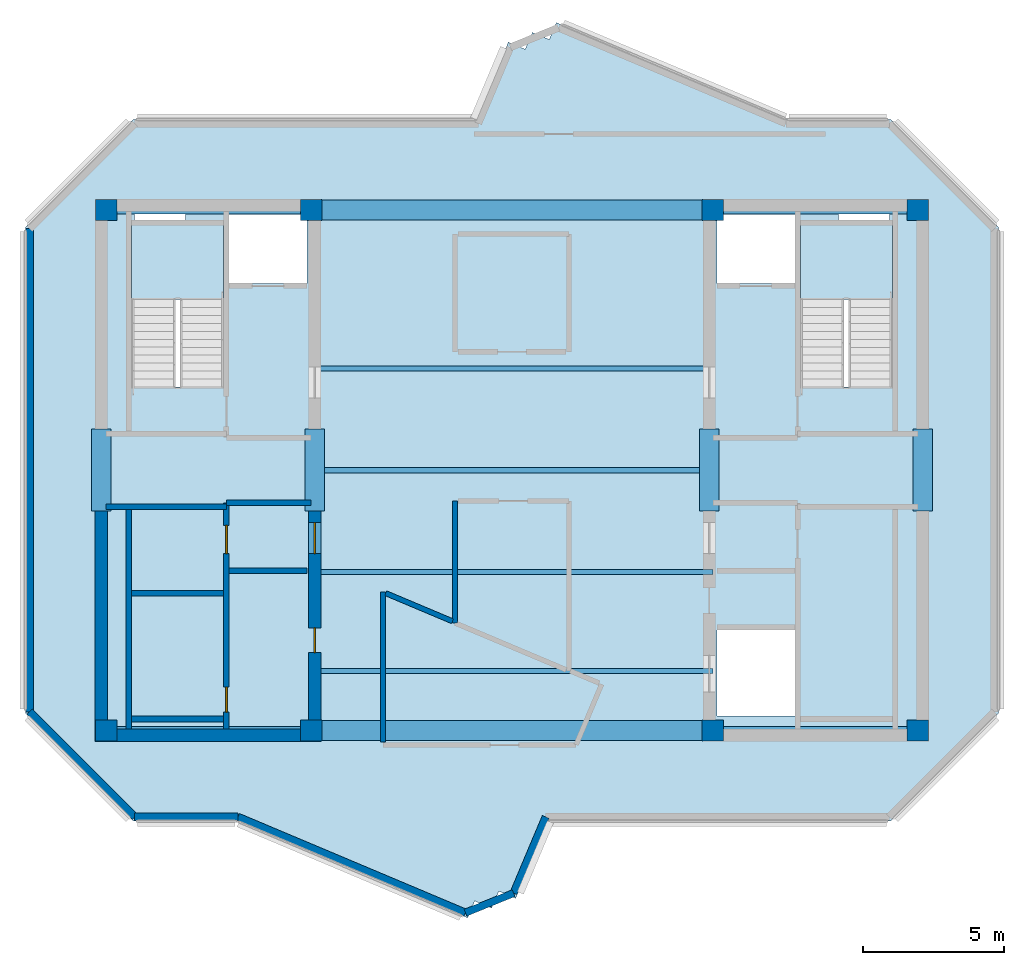
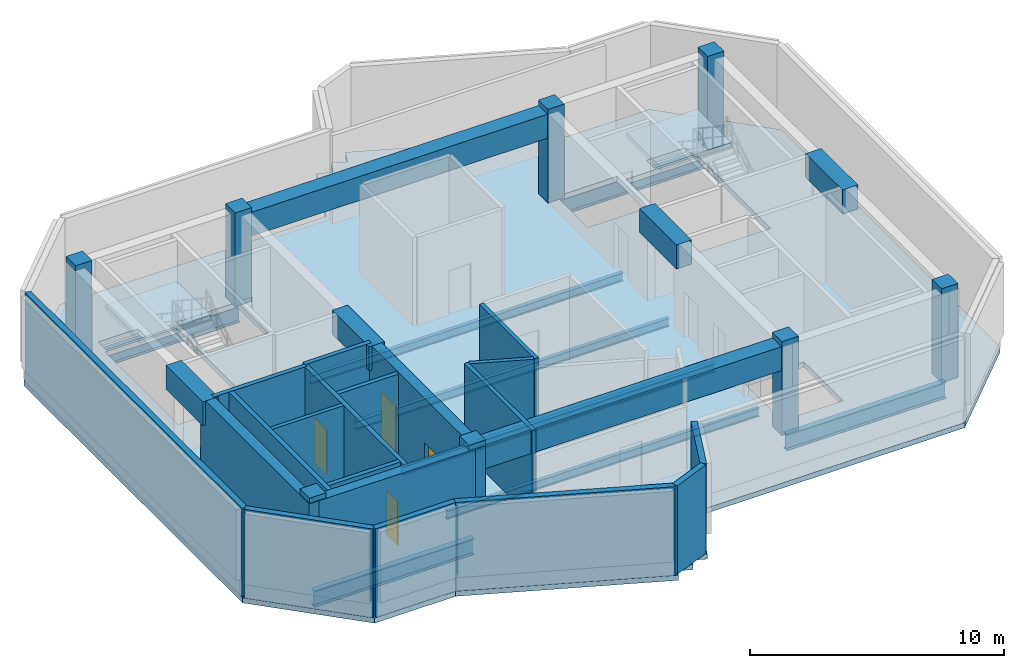
# One storey, part 1 of 5: 19 walls, 14 beams, 8 columns, 4 doors, 3 slabs, 4 openings, 2 elements without a shape of their own.
"""IFC4 building model written with IfcOpenShell, lengths in metres."""

from ifc_helpers import new_model, si_unit, direction, frame, frame_2d, origin, origin_2d, place, context, subcontext, project, spatial, polyline, rectangle, i_section, outline, extrude, source, transform, mapped, material, layer, layer_set, material_profile, profile_set, type_object, element, fill, aggregate, save


model = new_model("IFC4")

# Units and contexts
model_context = context("Model", 3, precision=1e-05, world=origin(), true_north=direction((0.0, 1.0)))
body_context = subcontext(model_context, "Body", "Model", "MODEL_VIEW")
ifc_project = project(units=[si_unit("LENGTHUNIT", "METRE"), si_unit("AREAUNIT", "SQUARE_METRE"), si_unit("VOLUMEUNIT", "CUBIC_METRE"), si_unit("PLANEANGLEUNIT", "RADIAN"), si_unit("MASSUNIT", "GRAM", prefix="KILO")], contexts=[model_context])

# Site, building, storey
site_placement = place(None, origin())
site = spatial("IfcSite", under=ifc_project, at=site_placement, CompositionType="ELEMENT")
building_placement = place(site_placement, origin())
building = spatial("IfcBuilding", under=site, at=building_placement, Name="Zahravan Cultural Tower", CompositionType="ELEMENT")
storey_placement = place(building_placement, frame((0.0, 0.0, 375.14990234375)))
storey = spatial("IfcBuildingStorey", under=building, at=storey_placement, Name="L91", CompositionType="ELEMENT", Elevation=375.14990234375)

# Columns
ifc_material_1 = material(Name="Concrete C45/55", Category="concrete")
ifc_material_profile_1 = material_profile(ifc_material_1, rectangle(XDim=0.75, YDim=0.75, at=origin_2d()), Name="RC750X750")
ifc_profile_set_1 = profile_set([ifc_material_profile_1], Name="Concrete C45/55")
column_type = type_object("IfcColumnType", Name="COL-RC750", PredefinedType="COLUMN", material=ifc_profile_set_1)
shared_shape_1 = source(origin(), body_context, "Body", "SweptSolid", [
    extrude(rectangle(XDim=0.75, YDim=0.75, at=origin_2d()), origin(), (0.0, 0.0, 1.0), 4.5),
])
for number, where, z_axis, x_axis, name in (
    (1, (21.64990234375, 17.800048828125, 0.0), (0.0, 0.0, 1.0), (1.0, 0.0, 0.0), "L91 Column CC-W1"),
    (2, (28.89990234375, 17.800048828125, 0.0), (0.0, 0.0, 1.0), (1.0, 0.0, 0.0), "L91 Column CC-W2"),
    (3, (21.64990234375, 36.199951171875, 0.0), (0.0, 0.0, 1.0), (1.0, 0.0, 0.0), "L91 Column CC-W3"),
    (4, (28.89990234375, 36.199951171875, 0.0), (0.0, 0.0, 1.0), (1.0, 0.0, 0.0), "L91 Column CC-W4"),
    (5, (43.10009765625, 17.800048828125, 0.0), (0.0, 0.0, 1.0), (1.0, 0.0, 0.0), "L91 Column CC-E1"),
    (6, (50.35009765625, 17.800048828125, 0.0), (0.0, 0.0, 1.0), (1.0, 0.0, 0.0), "L91 Column CC-E2"),
    (7, (43.10009765625, 36.199951171875, 0.0), (0.0, 0.0, 1.0), (1.0, 0.0, 0.0), "L91 Column CC-E3"),
    (8, (50.35009765625, 36.199951171875, 0.0), (0.0, 0.0, 1.0), (1.0, 0.0, 0.0), "L91 Column CC-E4"),
):
    element("IfcColumn", number, at=place(storey_placement, frame(where, z_axis=z_axis, x_axis=x_axis)), inside=storey, type_object=column_type, Name=name, PredefinedType="COLUMN", context=body_context, shape_type="MappedRepresentation", body=[
        mapped(shared_shape_1, transform((0.0, 0.0, 0.0), x_axis=(1.0, 0.0, 0.0), y_axis=(0.0, 1.0, 0.0), z_axis=(0.0, 0.0, 1.0), scale=1.0)),
    ])

# Beams
ifc_material_2 = material(Name="Concrete C50/60", Category="concrete")
ifc_material_profile_2 = material_profile(ifc_material_2, rectangle(XDim=0.699951171875, YDim=1.14990234375, at=origin_2d()), Name="RC700X1150")
ifc_profile_set_2 = profile_set([ifc_material_profile_2], Name="Concrete C50/60")
beam_type_1 = type_object("IfcBeamType", Name="BM-LN-RC700X1150", PredefinedType="LINTEL", material=ifc_profile_set_2)
shared_shape_2 = source(origin(), body_context, "Body", "SweptSolid", [
    extrude(rectangle(XDim=0.699951171875, YDim=1.14990234375, at=origin_2d()), origin(), (0.0, 0.0, 1.0), 14.2001953125),
])
for number, where, z_axis, x_axis, name in (
    (9, (28.89990234375, 17.800048828125, 3.675048828125), (1.0, 0.0, 0.0), (0.0, 1.0, 0.0), "L91 Beam LN-L91-S"),
    (10, (28.89990234375, 36.199951171875, 3.675048828125), (1.0, 0.0, 0.0), (0.0, 1.0, 0.0), "L91 Beam LN-L91-N"),
):
    element("IfcBeam", number, at=place(storey_placement, frame(where, z_axis=z_axis, x_axis=x_axis)), inside=storey, type_object=beam_type_1, Name=name, PredefinedType="LINTEL", context=body_context, shape_type="MappedRepresentation", body=[
        mapped(shared_shape_2, transform((0.0, 0.0, 0.0), x_axis=(1.0, 0.0, 0.0), y_axis=(0.0, 1.0, 0.0), z_axis=(0.0, 0.0, 1.0), scale=1.0)),
    ])
shared_shape_3 = source(origin(), body_context, "Body", "SweptSolid", [
    extrude(rectangle(XDim=0.699951171875, YDim=1.14990234375, at=origin_2d()), origin(), (0.0, 0.0, 1.0), 2.89990234375),
])
for number, where, z_axis, x_axis, name in (
    (11, (21.47509765625, 25.550048828125, 3.675048828125), (0.0, 1.0, 0.0), (-1.0, 0.0, 0.0), "L91 Beam LN-L91-PWW"),
    (12, (29.02490234375, 25.550048828125, 3.675048828125), (0.0, 1.0, 0.0), (-1.0, 0.0, 0.0), "L91 Beam LN-L91-PWE"),
    (13, (42.97509765625, 25.550048828125, 3.675048828125), (0.0, 1.0, 0.0), (-1.0, 0.0, 0.0), "L91 Beam LN-L91-PEW"),
    (14, (50.52490234375, 25.550048828125, 3.675048828125), (0.0, 1.0, 0.0), (-1.0, 0.0, 0.0), "L91 Beam LN-L91-PEE"),
):
    element("IfcBeam", number, at=place(storey_placement, frame(where, z_axis=z_axis, x_axis=x_axis)), inside=storey, type_object=beam_type_1, Name=name, PredefinedType="LINTEL", context=body_context, shape_type="MappedRepresentation", body=[
        mapped(shared_shape_3, transform((0.0, 0.0, 0.0), x_axis=(1.0, 0.0, 0.0), y_axis=(0.0, 1.0, 0.0), z_axis=(0.0, 0.0, 1.0), scale=1.0)),
    ])
ifc_material_3 = material(Name="Steel ASTM A992 Grade 50", Category="steel")
ifc_material_profile_3 = material_profile(ifc_material_3, i_section(OverallWidth=0.26611328125, OverallDepth=0.780029296875, WebThickness=0.0166015625, FlangeThickness=0.030029296875, FilletRadius=0.01904296875, at=origin_2d()), Name="W30X148")
ifc_profile_set_3 = profile_set([ifc_material_profile_3], Name="Steel ASTM A992 Grade 50")
beam_type_2 = type_object("IfcBeamType", Name="BM-G-W30X148", PredefinedType="BEAM", material=ifc_profile_set_3)
shared_shape_4 = source(origin(), body_context, "Body", "SweptSolid", [
    extrude(i_section(OverallWidth=0.26611328125, OverallDepth=0.780029296875, WebThickness=0.0166015625, FlangeThickness=0.030029296875, FilletRadius=0.01904296875, at=origin_2d()), origin(), (0.0, 0.0, 1.0), 7.25),
])
for number, where, z_axis, x_axis, name in (
    (15, (21.64990234375, 17.800048828125, -0.639892578125), (1.0, 0.0, 0.0), (0.0, 1.0, 0.0), "L91 Beam BG-L91-01"),
    (16, (21.64990234375, 36.199951171875, -0.639892578125), (1.0, 0.0, 0.0), (0.0, 1.0, 0.0), "L91 Beam BG-L91-02"),
    (17, (43.10009765625, 17.800048828125, -0.639892578125), (1.0, 0.0, 0.0), (0.0, 1.0, 0.0), "L91 Beam BG-L91-04"),
    (18, (43.10009765625, 36.199951171875, -0.639892578125), (1.0, 0.0, 0.0), (0.0, 1.0, 0.0), "L91 Beam BG-L91-05"),
):
    element("IfcBeam", number, at=place(storey_placement, frame(where, z_axis=z_axis, x_axis=x_axis)), inside=storey, type_object=beam_type_2, Name=name, PredefinedType="BEAM", context=body_context, shape_type="MappedRepresentation", body=[
        mapped(shared_shape_4, transform((0.0, 0.0, 0.0), x_axis=(1.0, 0.0, 0.0), y_axis=(0.0, 1.0, 0.0), z_axis=(0.0, 0.0, 1.0), scale=1.0)),
    ])
ifc_material_profile_4 = material_profile(ifc_material_3, i_section(OverallWidth=0.177978515625, OverallDepth=0.406005859375, WebThickness=0.0078125, FlangeThickness=0.0126953125, FilletRadius=0.011962890625, at=origin_2d()), Name="W16X40")
ifc_profile_set_4 = profile_set([ifc_material_profile_4], Name="Steel ASTM A992 Grade 50")
beam_type_3 = type_object("IfcBeamType", Name="BM-J-W16X40", PredefinedType="JOIST", material=ifc_profile_set_4)
shared_shape_5 = source(origin(), body_context, "Body", "SweptSolid", [
    extrude(i_section(OverallWidth=0.177978515625, OverallDepth=0.406005859375, WebThickness=0.0078125, FlangeThickness=0.0126953125, FilletRadius=0.011962890625, at=origin_2d()), origin(), (0.0, 0.0, 1.0), 14.2001953125),
])
for number, where, z_axis, x_axis, name in (
    (19, (28.89990234375, 19.89990234375, -0.452880859375), (1.0, 0.0, 0.0), (0.0, 1.0, 0.0), "L91 Beam BJ-L91-07"),
    (20, (28.89990234375, 23.39990234375, -0.452880859375), (1.0, 0.0, 0.0), (0.0, 1.0, 0.0), "L91 Beam BJ-L91-08"),
    (21, (28.89990234375, 27.0, -0.452880859375), (1.0, 0.0, 0.0), (0.0, 1.0, 0.0), "L91 Beam BJ-L91-09"),
    (22, (28.89990234375, 30.60009765625, -0.452880859375), (1.0, 0.0, 0.0), (0.0, 1.0, 0.0), "L91 Beam BJ-L91-10"),
):
    element("IfcBeam", number, at=place(storey_placement, frame(where, z_axis=z_axis, x_axis=x_axis)), inside=storey, type_object=beam_type_3, Name=name, PredefinedType="JOIST", context=body_context, shape_type="MappedRepresentation", body=[
        mapped(shared_shape_5, transform((0.0, 0.0, 0.0), x_axis=(1.0, 0.0, 0.0), y_axis=(0.0, 1.0, 0.0), z_axis=(0.0, 0.0, 1.0), scale=1.0)),
    ])

# Stair, slab
stair_type = type_object("IfcStairType", Name="STR-DL-1550-450", PredefinedType="HALF_TURN_STAIR", material=ifc_material_1)
stair_1_placement = place(storey_placement, origin())
stair_1 = element("IfcStair", 23, at=stair_1_placement, inside=storey, type_object=stair_type, Name="L91 West Core North Exit Stair ST-W1", PredefinedType="HALF_TURN_STAIR")
ifc_layer_1 = layer(ifc_material_1, 0.199951171875)
ifc_layer_set_1 = layer_set([ifc_layer_1], Name="Concrete C45/55")
slab_type_1 = type_object("IfcSlabType", Name="SL-STAIR-LND200", PredefinedType="LANDING", material=ifc_layer_set_1)
slab_1_placement = place(storey_placement, frame((0.0, 0.0, 2.050048828125)))
slab_1 = element("IfcSlab", 24, at=slab_1_placement, type_object=slab_type_1, Name="ST-W1 landing 1", PredefinedType="LANDING", context=body_context, shape_type="SweptSolid", body=[
    extrude(outline(polyline([(25.800048828125, 33.030029296875), (25.800048828125, 35.699951171875), (22.550048828125, 35.699951171875), (22.550048828125, 33.030029296875), (25.800048828125, 33.030029296875)])), origin(), (0.0, 0.0, 1.0), 0.199951171875),
])
aggregate(stair_1, [slab_1])

stair_2_placement = place(storey_placement, origin())
stair_2 = element("IfcStair", 25, at=stair_2_placement, inside=storey, type_object=stair_type, Name="L91 East Core North Exit Stair ST-E1", PredefinedType="HALF_TURN_STAIR")
slab_2_placement = place(storey_placement, frame((0.0, 0.0, 2.050048828125)))
slab_2 = element("IfcSlab", 26, at=slab_2_placement, type_object=slab_type_1, Name="ST-E1 landing 1", PredefinedType="LANDING", context=body_context, shape_type="SweptSolid", body=[
    extrude(outline(polyline([(49.449951171875, 33.030029296875), (49.449951171875, 35.699951171875), (46.199951171875, 35.699951171875), (46.199951171875, 33.030029296875), (49.449951171875, 33.030029296875)])), origin(), (0.0, 0.0, 1.0), 0.199951171875),
])
aggregate(stair_2, [slab_2])

# Slab
ifc_material_4 = material(Name="Concrete C40/50", Category="concrete")
ifc_layer_2 = layer(ifc_material_4, 0.25)
ifc_layer_set_2 = layer_set([ifc_layer_2], Name="Concrete C40/50")
slab_type_2 = type_object("IfcSlabType", Name="SL-TYP-250", PredefinedType="FLOOR", material=ifc_layer_set_2)
slab_3_placement = place(storey_placement, frame((0.0, 0.0, -0.25)))
element("IfcSlab", 27, at=slab_3_placement, inside=storey, type_object=slab_type_2, Name="L91 Structural Floor Slab", PredefinedType="FLOOR", context=body_context, shape_type="SweptSolid", body=[
    extrude(outline(polyline([(34.71435546875, 39.39990234375), (22.60009765625, 39.39990234375), (18.800048828125, 35.60009765625), (18.800048828125, 18.39990234375), (22.60009765625, 14.60009765625), (26.283447265625, 14.60009765625), (34.4287109375, 11.167724609375), (34.68115234375, 11.7666015625), (35.280029296875, 11.514404296875), (35.532470703125, 12.11328125), (36.131591796875, 11.86083984375), (37.28564453125, 14.60009765625), (49.39990234375, 14.60009765625), (53.199951171875, 18.39990234375), (53.199951171875, 35.60009765625), (49.39990234375, 39.39990234375), (45.716552734375, 39.39990234375), (37.5712890625, 42.832275390625), (37.31884765625, 42.2333984375), (36.719970703125, 42.485595703125), (36.467529296875, 41.88671875), (35.868408203125, 42.13916015625), (34.71435546875, 39.39990234375)]), holes=[polyline([(22.550048828125, 29.949951171875), (22.550048828125, 35.699951171875), (25.800048828125, 35.699951171875), (25.800048828125, 29.949951171875), (22.550048828125, 29.949951171875)]), polyline([(46.199951171875, 29.949951171875), (46.199951171875, 35.699951171875), (49.449951171875, 35.699951171875), (49.449951171875, 29.949951171875), (46.199951171875, 29.949951171875)]), polyline([(26.0, 33.60009765625), (26.0, 36.050048828125), (28.75, 36.050048828125), (28.75, 33.60009765625), (26.0, 33.60009765625)]), polyline([(43.25, 33.60009765625), (43.25, 36.050048828125), (46.0, 36.050048828125), (46.0, 33.60009765625), (43.25, 33.60009765625)]), polyline([(43.25, 18.300048828125), (43.25, 21.35009765625), (46.0, 21.35009765625), (46.0, 18.300048828125), (43.25, 18.300048828125)]), polyline([(22.64990234375, 35.800048828125), (22.64990234375, 36.419921875), (24.449951171875, 36.419921875), (24.449951171875, 35.800048828125), (22.64990234375, 35.800048828125)]), polyline([(47.550048828125, 35.800048828125), (47.550048828125, 36.419921875), (49.35009765625, 36.419921875), (49.35009765625, 35.800048828125), (47.550048828125, 35.800048828125)])]), origin(), (0.0, 0.0, 1.0), 0.25),
])

# Wall, openings, doors
ifc_layer_3 = layer(ifc_material_2, 0.449951171875)
ifc_layer_set_3 = layer_set([ifc_layer_3], Name="Concrete C50/60")
wall_type_1 = type_object("IfcWallType", Name="CW-SHEAR-450-C50", PredefinedType="SHEAR", material=ifc_layer_set_3)
wall_1_placement = place(storey_placement, frame((29.02490234375, 17.39990234375, 0.0), z_axis=(0.0, 0.0, 1.0), x_axis=(0.0, 1.0, 0.0)))
wall_1 = element("IfcWall", 28, at=wall_1_placement, inside=storey, type_object=wall_type_1, Name="L91 Core Shear Wall CW-W-ES-L91", PredefinedType="SHEAR", context=body_context, shape_type="SweptSolid", body=[
    extrude(rectangle(XDim=8.550048828125, YDim=0.449951171875, at=frame_2d((4.27490234375, 0.0))), origin(), (0.0, 0.0, 1.0), 4.25),
])
opening_1_placement = place(wall_1_placement, frame((6.64990234375, 0.0, 0.0)))
opening_1 = element("IfcOpeningElement", 29, at=opening_1_placement, cuts=wall_1, Name="Opening D-L91-08", PredefinedType="OPENING", context=body_context, shape_type="SweptSolid", body=[
    extrude(rectangle(XDim=1.10009765625, YDim=2.199951171875, at=frame_2d((0.550048828125, 1.10009765625))), frame((0.0, 0.23486328125, 0.0), z_axis=(0.0, -1.0, 0.0), x_axis=(1.0, 0.0, 0.0)), (0.0, 0.0, 1.0), 0.469970703125),
])
opening_2_placement = place(wall_1_placement, frame((3.14990234375, 0.0, 0.0)))
opening_2 = element("IfcOpeningElement", 30, at=opening_2_placement, cuts=wall_1, Name="Opening D-L91-10", PredefinedType="OPENING", context=body_context, shape_type="SweptSolid", body=[
    extrude(rectangle(XDim=0.8798828125, YDim=2.10009765625, at=frame_2d((0.43994140625, 1.050048828125))), frame((0.0, 0.23486328125, 0.0), z_axis=(0.0, -1.0, 0.0), x_axis=(1.0, 0.0, 0.0)), (0.0, 0.0, 1.0), 0.469970703125),
])
ifc_material_5 = material(Name="Steel ASTM A572 Grade 50", Category="steel")
door_type_1 = type_object("IfcDoorType", Name="DR-LOBBY-1100", OperationType="NOTDEFINED", PredefinedType="DOOR", material=ifc_material_5)
shared_shape_6 = source(origin(), body_context, "Body", "SweptSolid", [
    extrude(rectangle(XDim=1.10009765625, YDim=2.199951171875, at=frame_2d((0.550048828125, 1.10009765625))), frame((0.0, 0.02490234375, 0.0), z_axis=(0.0, -1.0, 0.0), x_axis=(1.0, 0.0, 0.0)), (0.0, 0.0, 1.0), 0.050048828125),
])
door_1_placement = place(opening_1_placement, origin())
door_1 = element("IfcDoor", 31, at=door_1_placement, inside=storey, type_object=door_type_1, Name="L91 Door D-L91-08", OperationType="SINGLE_SWING_LEFT", OverallHeight=2.199951171875, OverallWidth=1.10009765625, PredefinedType="DOOR", context=body_context, shape_type="MappedRepresentation", body=[
    mapped(shared_shape_6, transform((0.0, 0.0, 0.0), x_axis=(1.0, 0.0, 0.0), y_axis=(0.0, 1.0, 0.0), z_axis=(0.0, 0.0, 1.0), scale=1.0)),
])
fill(opening_1, door_1)
door_type_2 = type_object("IfcDoorType", Name="DR-SVC-880", OperationType="NOTDEFINED", PredefinedType="DOOR", material=ifc_material_5)
shared_shape_7 = source(origin(), body_context, "Body", "SweptSolid", [
    extrude(rectangle(XDim=0.8798828125, YDim=2.10009765625, at=frame_2d((0.43994140625, 1.050048828125))), frame((0.0, 0.02490234375, 0.0), z_axis=(0.0, -1.0, 0.0), x_axis=(1.0, 0.0, 0.0)), (0.0, 0.0, 1.0), 0.050048828125),
])
door_2_placement = place(opening_2_placement, origin())
door_2 = element("IfcDoor", 32, at=door_2_placement, inside=storey, type_object=door_type_2, Name="L91 Door D-L91-10", OperationType="SINGLE_SWING_LEFT", OverallHeight=2.10009765625, OverallWidth=0.8798828125, PredefinedType="DOOR", context=body_context, shape_type="MappedRepresentation", body=[
    mapped(shared_shape_7, transform((0.0, 0.0, 0.0), x_axis=(1.0, 0.0, 0.0), y_axis=(0.0, 1.0, 0.0), z_axis=(0.0, 0.0, 1.0), scale=1.0)),
])
fill(opening_2, door_2)

ifc_layer_4 = layer(ifc_material_1, 0.199951171875)
ifc_layer_set_4 = layer_set([ifc_layer_4], Name="Concrete C45/55")
wall_type_2 = type_object("IfcWallType", Name="W-SHAFT-200", PredefinedType="SOLIDWALL", material=ifc_layer_set_4)
wall_2_placement = place(storey_placement, frame((25.89990234375, 17.85009765625, 0.0), z_axis=(0.0, 0.0, 1.0), x_axis=(0.0, 1.0, 0.0)))
wall_2 = element("IfcWall", 33, at=wall_2_placement, inside=storey, type_object=wall_type_2, Name="L91 Interior Wall 005", PredefinedType="SOLIDWALL", context=body_context, shape_type="SweptSolid", body=[
    extrude(rectangle(XDim=8.0, YDim=0.199951171875, at=frame_2d((4.0, 0.0))), origin(), (0.0, 0.0, 1.0), 4.25),
])
opening_3_placement = place(wall_2_placement, frame((6.199951171875, 0.0, 0.0)))
opening_3 = element("IfcOpeningElement", 34, at=opening_3_placement, cuts=wall_2, Name="Opening D-L91-04", PredefinedType="OPENING", context=body_context, shape_type="SweptSolid", body=[
    extrude(rectangle(XDim=1.0, YDim=2.14990234375, at=frame_2d((0.5, 1.074951171875))), frame((0.0, 0.10986328125, 0.0), z_axis=(0.0, -1.0, 0.0), x_axis=(1.0, 0.0, 0.0)), (0.0, 0.0, 1.0), 0.219970703125),
])
opening_4_placement = place(wall_2_placement, frame((0.60009765625, 0.0, 0.0)))
opening_4 = element("IfcOpeningElement", 35, at=opening_4_placement, cuts=wall_2, Name="Opening D-L91-05", PredefinedType="OPENING", context=body_context, shape_type="SweptSolid", body=[
    extrude(rectangle(XDim=0.8798828125, YDim=2.10009765625, at=frame_2d((0.43994140625, 1.050048828125))), frame((0.0, 0.10986328125, 0.0), z_axis=(0.0, -1.0, 0.0), x_axis=(1.0, 0.0, 0.0)), (0.0, 0.0, 1.0), 0.219970703125),
])
door_3_placement = place(opening_4_placement, origin())
door_3 = element("IfcDoor", 36, at=door_3_placement, inside=storey, type_object=door_type_2, Name="L91 Door D-L91-05", OperationType="SINGLE_SWING_RIGHT", OverallHeight=2.10009765625, OverallWidth=0.8798828125, PredefinedType="DOOR", context=body_context, shape_type="MappedRepresentation", body=[
    mapped(shared_shape_7, transform((0.0, 0.0, 0.0), x_axis=(1.0, 0.0, 0.0), y_axis=(0.0, 1.0, 0.0), z_axis=(0.0, 0.0, 1.0), scale=1.0)),
])
fill(opening_4, door_3)
door_type_3 = type_object("IfcDoorType", Name="DR-COMP-1000", OperationType="NOTDEFINED", PredefinedType="DOOR", material=ifc_material_5)
shared_shape_8 = source(origin(), body_context, "Body", "SweptSolid", [
    extrude(rectangle(XDim=1.0, YDim=2.14990234375, at=frame_2d((0.5, 1.074951171875))), frame((0.0, 0.02490234375, 0.0), z_axis=(0.0, -1.0, 0.0), x_axis=(1.0, 0.0, 0.0)), (0.0, 0.0, 1.0), 0.050048828125),
])
door_4_placement = place(opening_3_placement, origin())
door_4 = element("IfcDoor", 37, at=door_4_placement, inside=storey, type_object=door_type_3, Name="L91 Door D-L91-04", OperationType="SINGLE_SWING_LEFT", OverallHeight=2.14990234375, OverallWidth=1.0, PredefinedType="DOOR", context=body_context, shape_type="MappedRepresentation", body=[
    mapped(shared_shape_8, transform((0.0, 0.0, 0.0), x_axis=(1.0, 0.0, 0.0), y_axis=(0.0, 1.0, 0.0), z_axis=(0.0, 0.0, 1.0), scale=1.0)),
])
fill(opening_3, door_4)

# Walls
shared_shape_9 = source(origin(), body_context, "Body", "SweptSolid", [
    extrude(rectangle(XDim=8.550048828125, YDim=0.449951171875, at=frame_2d((4.27490234375, 0.0))), origin(), (0.0, 0.0, 1.0), 4.25),
])
wall_3_placement = place(storey_placement, frame((21.47509765625, 17.39990234375, 0.0), z_axis=(0.0, 0.0, 1.0), x_axis=(0.0, 1.0, 0.0)))
element("IfcWall", 38, at=wall_3_placement, inside=storey, type_object=wall_type_1, Name="L91 Core Shear Wall CW-W-WS-L91", PredefinedType="SHEAR", context=body_context, shape_type="MappedRepresentation", body=[
    mapped(shared_shape_9, transform((0.0, 0.0, 0.0), x_axis=(1.0, 0.0, 0.0), y_axis=(0.0, 1.0, 0.0), z_axis=(0.0, 0.0, 1.0), scale=1.0)),
])
shared_shape_10 = source(origin(), body_context, "Body", "SweptSolid", [
    extrude(rectangle(XDim=7.10009765625, YDim=0.449951171875, at=frame_2d((3.550048828125, 0.0))), origin(), (0.0, 0.0, 1.0), 4.25),
])
wall_4_placement = place(storey_placement, frame((21.699951171875, 17.625, 0.0), z_axis=(0.0, 0.0, 1.0), x_axis=(1.0, 0.0, 0.0)))
element("IfcWall", 39, at=wall_4_placement, inside=storey, type_object=wall_type_1, Name="L91 Core Shear Wall CW-W-S-L91", PredefinedType="SHEAR", context=body_context, shape_type="MappedRepresentation", body=[
    mapped(shared_shape_10, transform((0.0, 0.0, 0.0), x_axis=(1.0, 0.0, 0.0), y_axis=(0.0, 1.0, 0.0), z_axis=(0.0, 0.0, 1.0), scale=1.0)),
])
ifc_material_6 = material(Name="Precast concrete C40/50", Category="concrete")
ifc_layer_5 = layer(ifc_material_6, 0.260009765625)
ifc_layer_set_5 = layer_set([ifc_layer_5], Name="Precast concrete C40/50")
wall_type_3 = type_object("IfcWallType", Name="EW-CROWN-260", PredefinedType="SOLIDWALL", material=ifc_layer_set_5)
shared_shape_11 = source(origin(), body_context, "Body", "SweptSolid", [
    extrude(rectangle(XDim=2.92529296875, YDim=0.260009765625, at=frame_2d((1.462646484375, 0.0))), origin(), (0.0, 0.0, 1.0), 4.25),
])
wall_5_placement = place(storey_placement, frame((37.19287109375, 14.739990234375, 0.0), z_axis=(0.0, 0.0, 1.0), x_axis=(-0.388321883953, -0.921523800259, 0.0)))
element("IfcWall", 40, at=wall_5_placement, inside=storey, type_object=wall_type_3, Name="L91 Exterior Masonry Frame Wall 09", PredefinedType="SOLIDWALL", context=body_context, shape_type="MappedRepresentation", body=[
    mapped(shared_shape_11, transform((0.0, 0.0, 0.0), x_axis=(1.0, 0.0, 0.0), y_axis=(0.0, 1.0, 0.0), z_axis=(0.0, 0.0, 1.0), scale=1.0)),
])
shared_shape_12 = source(origin(), body_context, "Body", "SweptSolid", [
    extrude(rectangle(XDim=1.838623046875, YDim=0.260009765625, at=frame_2d((0.91943359375, 0.0))), origin(), (0.0, 0.0, 1.0), 4.25),
])
wall_6_placement = place(storey_placement, frame((36.056884765625, 12.044189453125, 0.0), z_axis=(0.0, 0.0, 1.0), x_axis=(-0.926216039781, -0.376993166586, 0.0)))
element("IfcWall", 41, at=wall_6_placement, inside=storey, type_object=wall_type_3, Name="L91 Exterior Masonry Frame Wall 10", PredefinedType="SOLIDWALL", context=body_context, shape_type="MappedRepresentation", body=[
    mapped(shared_shape_12, transform((0.0, 0.0, 0.0), x_axis=(1.0, 0.0, 0.0), y_axis=(0.0, 1.0, 0.0), z_axis=(0.0, 0.0, 1.0), scale=1.0)),
])
shared_shape_13 = source(origin(), body_context, "Body", "SweptSolid", [
    extrude(rectangle(XDim=8.72705078125, YDim=0.260009765625, at=frame_2d((4.363525390625, 0.0))), origin(), (0.0, 0.0, 1.0), 4.25),
])
wall_7_placement = place(storey_placement, frame((34.35400390625, 11.35107421875, 0.0), z_axis=(0.0, 0.0, 1.0), x_axis=(-0.921524227272, 0.38832087061, 0.0)))
element("IfcWall", 42, at=wall_7_placement, inside=storey, type_object=wall_type_3, Name="L91 Exterior Masonry Frame Wall 11", PredefinedType="SOLIDWALL", context=body_context, shape_type="MappedRepresentation", body=[
    mapped(shared_shape_13, transform((0.0, 0.0, 0.0), x_axis=(1.0, 0.0, 0.0), y_axis=(0.0, 1.0, 0.0), z_axis=(0.0, 0.0, 1.0), scale=1.0)),
])
shared_shape_14 = source(origin(), body_context, "Body", "SweptSolid", [
    extrude(rectangle(XDim=3.65380859375, YDim=0.260009765625, at=frame_2d((1.826904296875, 0.0))), origin(), (0.0, 0.0, 1.0), 4.25),
])
wall_8_placement = place(storey_placement, frame((26.311767578125, 14.739990234375, 0.0), z_axis=(0.0, 0.0, 1.0), x_axis=(-1.0, 0.0, 0.0)))
element("IfcWall", 43, at=wall_8_placement, inside=storey, type_object=wall_type_3, Name="L91 Exterior Masonry Frame Wall 12", PredefinedType="SOLIDWALL", context=body_context, shape_type="MappedRepresentation", body=[
    mapped(shared_shape_14, transform((0.0, 0.0, 0.0), x_axis=(1.0, 0.0, 0.0), y_axis=(0.0, 1.0, 0.0), z_axis=(0.0, 0.0, 1.0), scale=1.0)),
])
shared_shape_15 = source(origin(), body_context, "Body", "SweptSolid", [
    extrude(rectangle(XDim=5.258056640625, YDim=0.260009765625, at=frame_2d((2.62890625, 0.0))), origin(), (0.0, 0.0, 1.0), 4.25),
])
wall_9_placement = place(storey_placement, frame((22.657958984375, 14.739990234375, 0.0), z_axis=(0.0, 0.0, 1.0), x_axis=(-0.707106781187, 0.707106781187, 0.0)))
element("IfcWall", 44, at=wall_9_placement, inside=storey, type_object=wall_type_3, Name="L91 Exterior Masonry Frame Wall 13", PredefinedType="SOLIDWALL", context=body_context, shape_type="MappedRepresentation", body=[
    mapped(shared_shape_15, transform((0.0, 0.0, 0.0), x_axis=(1.0, 0.0, 0.0), y_axis=(0.0, 1.0, 0.0), z_axis=(0.0, 0.0, 1.0), scale=1.0)),
])
shared_shape_16 = source(origin(), body_context, "Body", "SweptSolid", [
    extrude(rectangle(XDim=17.083984375, YDim=0.260009765625, at=frame_2d((8.5419921875, 0.0))), origin(), (0.0, 0.0, 1.0), 4.25),
])
wall_10_placement = place(storey_placement, frame((18.93994140625, 18.4580078125, 0.0), z_axis=(0.0, 0.0, 1.0), x_axis=(0.0, 1.0, 0.0)))
element("IfcWall", 45, at=wall_10_placement, inside=storey, type_object=wall_type_3, Name="L91 Exterior Masonry Frame Wall 14", PredefinedType="SOLIDWALL", context=body_context, shape_type="MappedRepresentation", body=[
    mapped(shared_shape_16, transform((0.0, 0.0, 0.0), x_axis=(1.0, 0.0, 0.0), y_axis=(0.0, 1.0, 0.0), z_axis=(0.0, 0.0, 1.0), scale=1.0)),
])
shared_shape_17 = source(origin(), body_context, "Body", "SweptSolid", [
    extrude(rectangle(XDim=7.869873046875, YDim=0.199951171875, at=frame_2d((3.93505859375, 0.0))), origin(), (0.0, 0.0, 1.0), 4.25),
])
wall_11_placement = place(storey_placement, frame((22.449951171875, 17.85009765625, 0.0), z_axis=(0.0, 0.0, 1.0), x_axis=(0.0, 1.0, 0.0)))
element("IfcWall", 46, at=wall_11_placement, inside=storey, type_object=wall_type_2, Name="L91 Interior Wall 001", PredefinedType="SOLIDWALL", context=body_context, shape_type="MappedRepresentation", body=[
    mapped(shared_shape_17, transform((0.0, 0.0, 0.0), x_axis=(1.0, 0.0, 0.0), y_axis=(0.0, 1.0, 0.0), z_axis=(0.0, 0.0, 1.0), scale=1.0)),
])
shared_shape_18 = source(origin(), body_context, "Body", "SweptSolid", [
    extrude(rectangle(XDim=4.25, YDim=0.199951171875, at=frame_2d((2.125, 0.0))), origin(), (0.0, 0.0, 1.0), 4.25),
])
wall_12_placement = place(storey_placement, frame((21.64990234375, 25.715087890625, 0.0), z_axis=(0.0, 0.0, 1.0), x_axis=(1.0, 0.0, 0.0)))
element("IfcWall", 47, at=wall_12_placement, inside=storey, type_object=wall_type_2, Name="L91 Interior Wall 009", PredefinedType="SOLIDWALL", context=body_context, shape_type="MappedRepresentation", body=[
    mapped(shared_shape_18, transform((0.0, 0.0, 0.0), x_axis=(1.0, 0.0, 0.0), y_axis=(0.0, 1.0, 0.0), z_axis=(0.0, 0.0, 1.0), scale=1.0)),
])
shared_shape_19 = source(origin(), body_context, "Body", "SweptSolid", [
    extrude(rectangle(XDim=3.0, YDim=0.199951171875, at=frame_2d((1.5, 0.0))), origin(), (0.0, 0.0, 1.0), 4.25),
])
wall_13_placement = place(storey_placement, frame((25.89990234375, 25.85009765625, 0.0), z_axis=(0.0, 0.0, 1.0), x_axis=(1.0, 0.0, 0.0)))
element("IfcWall", 48, at=wall_13_placement, inside=storey, type_object=wall_type_2, Name="L91 Interior Wall 010", PredefinedType="SOLIDWALL", context=body_context, shape_type="MappedRepresentation", body=[
    mapped(shared_shape_19, transform((0.0, 0.0, 0.0), x_axis=(1.0, 0.0, 0.0), y_axis=(0.0, 1.0, 0.0), z_axis=(0.0, 0.0, 1.0), scale=1.0)),
])
shared_shape_20 = source(origin(), body_context, "Body", "SweptSolid", [
    extrude(rectangle(XDim=3.25, YDim=0.199951171875, at=frame_2d((1.625, 0.0))), origin(), (0.0, 0.0, 1.0), 4.25),
])
wall_14_placement = place(storey_placement, frame((22.550048828125, 18.199951171875, 0.0), z_axis=(0.0, 0.0, 1.0), x_axis=(1.0, 0.0, 0.0)))
element("IfcWall", 49, at=wall_14_placement, inside=storey, type_object=wall_type_2, Name="L91 Interior Wall 019", PredefinedType="SOLIDWALL", context=body_context, shape_type="MappedRepresentation", body=[
    mapped(shared_shape_20, transform((0.0, 0.0, 0.0), x_axis=(1.0, 0.0, 0.0), y_axis=(0.0, 1.0, 0.0), z_axis=(0.0, 0.0, 1.0), scale=1.0)),
])
ifc_material_7 = material(Name="Gypsum plasterboard partition")
ifc_layer_6 = layer(ifc_material_7, 0.179931640625)
ifc_layer_set_6 = layer_set([ifc_layer_6], Name="Gypsum plasterboard partition")
wall_type_4 = type_object("IfcWallType", Name="W-COMP-180", PredefinedType="PARTITIONING", material=ifc_layer_set_6)
shared_shape_21 = source(origin(), body_context, "Body", "SweptSolid", [
    extrude(rectangle(XDim=3.25, YDim=0.179931640625, at=frame_2d((1.625, 0.0))), origin(), (0.0, 0.0, 1.0), 4.25),
])
wall_15_placement = place(storey_placement, frame((22.550048828125, 22.64990234375, 0.0), z_axis=(0.0, 0.0, 1.0), x_axis=(1.0, 0.0, 0.0)))
element("IfcWall", 50, at=wall_15_placement, inside=storey, type_object=wall_type_4, Name="L91 Interior Wall 021", PredefinedType="PARTITIONING", context=body_context, shape_type="MappedRepresentation", body=[
    mapped(shared_shape_21, transform((0.0, 0.0, 0.0), x_axis=(1.0, 0.0, 0.0), y_axis=(0.0, 1.0, 0.0), z_axis=(0.0, 0.0, 1.0), scale=1.0)),
])
shared_shape_22 = source(origin(), body_context, "Body", "SweptSolid", [
    extrude(rectangle(XDim=2.75, YDim=0.199951171875, at=frame_2d((1.375, 0.0))), origin(), (0.0, 0.0, 1.0), 4.25),
])
wall_16_placement = place(storey_placement, frame((26.0, 23.449951171875, 0.0), z_axis=(0.0, 0.0, 1.0), x_axis=(1.0, 0.0, 0.0)))
element("IfcWall", 51, at=wall_16_placement, inside=storey, type_object=wall_type_2, Name="L91 Interior Wall 024", PredefinedType="SOLIDWALL", context=body_context, shape_type="MappedRepresentation", body=[
    mapped(shared_shape_22, transform((0.0, 0.0, 0.0), x_axis=(1.0, 0.0, 0.0), y_axis=(0.0, 1.0, 0.0), z_axis=(0.0, 0.0, 1.0), scale=1.0)),
])
shared_shape_23 = source(origin(), body_context, "Body", "SweptSolid", [
    extrude(rectangle(XDim=4.3134765625, YDim=0.179931640625, at=frame_2d((2.15673828125, 0.0))), origin(), (0.0, 0.0, 1.0), 4.25),
])
wall_17_placement = place(storey_placement, frame((33.989990234375, 21.596435546875, 0.0), z_axis=(0.0, 0.0, 1.0), x_axis=(0.0, 1.0, 0.0)))
element("IfcWall", 52, at=wall_17_placement, inside=storey, type_object=wall_type_4, Name="L91 Interior Wall 031", PredefinedType="PARTITIONING", context=body_context, shape_type="MappedRepresentation", body=[
    mapped(shared_shape_23, transform((0.0, 0.0, 0.0), x_axis=(1.0, 0.0, 0.0), y_axis=(0.0, 1.0, 0.0), z_axis=(0.0, 0.0, 1.0), scale=1.0)),
])
shared_shape_24 = source(origin(), body_context, "Body", "SweptSolid", [
    extrude(rectangle(XDim=5.3076171875, YDim=0.179931640625, at=frame_2d((2.65380859375, 0.0))), origin(), (0.0, 0.0, 1.0), 4.25),
])
wall_18_placement = place(storey_placement, frame((31.43994140625, 17.385009765625, 0.0), z_axis=(0.0, 0.0, 1.0), x_axis=(0.0, 1.0, 0.0)))
element("IfcWall", 53, at=wall_18_placement, inside=storey, type_object=wall_type_4, Name="L91 Interior Wall 038", PredefinedType="PARTITIONING", context=body_context, shape_type="MappedRepresentation", body=[
    mapped(shared_shape_24, transform((0.0, 0.0, 0.0), x_axis=(1.0, 0.0, 0.0), y_axis=(0.0, 1.0, 0.0), z_axis=(0.0, 0.0, 1.0), scale=1.0)),
])
shared_shape_25 = source(origin(), body_context, "Body", "SweptSolid", [
    extrude(rectangle(XDim=2.56103515625, YDim=0.179931640625, at=frame_2d((1.280517578125, 0.0))), origin(), (0.0, 0.0, 1.0), 4.25),
])
wall_19_placement = place(storey_placement, frame((31.534912109375, 22.652587890625, 0.0), z_axis=(0.0, 0.0, 1.0), x_axis=(0.921543833829, -0.388274339008, 0.0)))
element("IfcWall", 54, at=wall_19_placement, inside=storey, type_object=wall_type_4, Name="L91 Interior Wall 039", PredefinedType="PARTITIONING", context=body_context, shape_type="MappedRepresentation", body=[
    mapped(shared_shape_25, transform((0.0, 0.0, 0.0), x_axis=(1.0, 0.0, 0.0), y_axis=(0.0, 1.0, 0.0), z_axis=(0.0, 0.0, 1.0), scale=1.0)),
])

save(model, "model.ifc")
